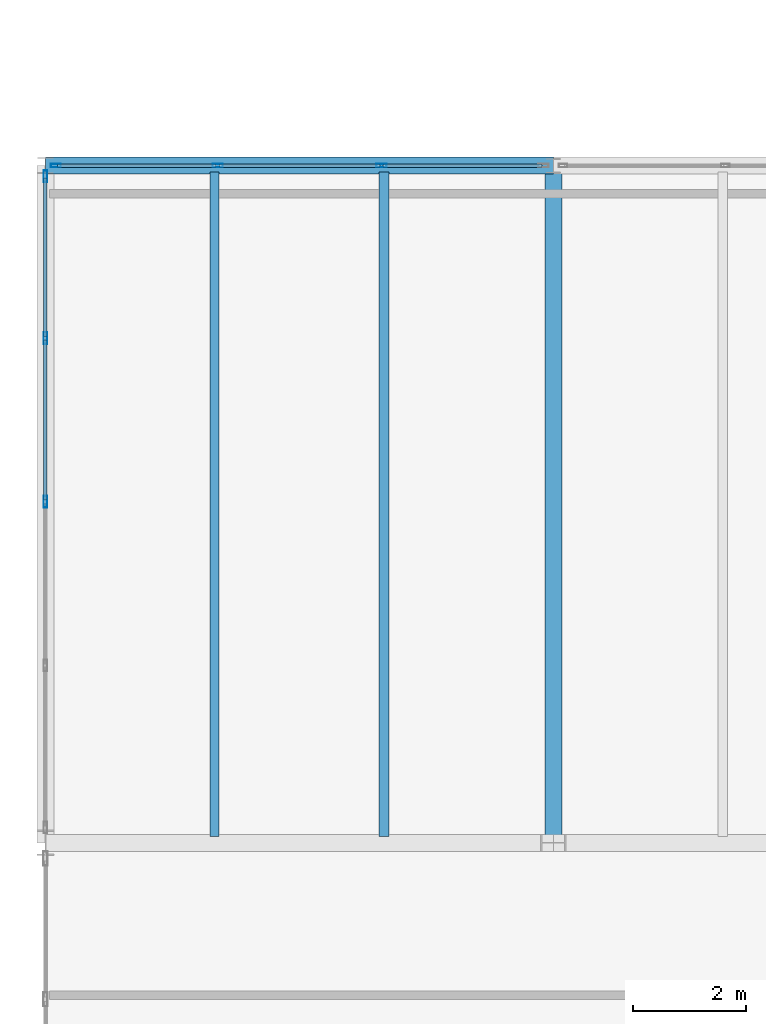
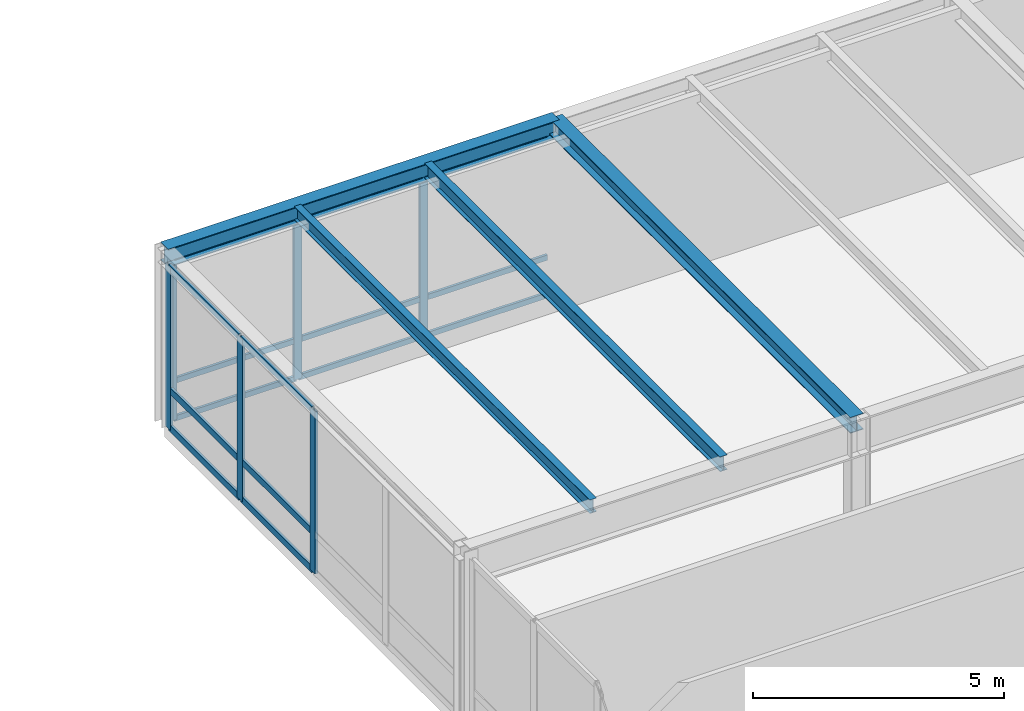
# One storey, part 18 of 142: 21 members, 4 beams, 2 elements without a shape of their own.
"""IFC4 building model written with IfcOpenShell, lengths in metres."""

from ifc_helpers import new_model, si_unit, direction, frame, origin, origin_2d, place, context, subcontext, project, spatial, hollow_rectangle, i_section, extrude, material, layer, layer_set, material_profile, profile_set, type_object, element, aggregate, save


model = new_model("IFC4")

# Units and contexts
model_context = context("Model", 3, precision=1e-05, world=origin(), true_north=direction((0.0, 1.0)))
body_context = subcontext(model_context, "Body", "Model", "MODEL_VIEW")
ifc_project = project(units=[si_unit("LENGTHUNIT", "METRE"), si_unit("AREAUNIT", "SQUARE_METRE"), si_unit("VOLUMEUNIT", "CUBIC_METRE"), si_unit("PLANEANGLEUNIT", "RADIAN"), si_unit("MASSUNIT", "GRAM", prefix="KILO")], contexts=[model_context])

# Site, building, storey
site_placement = place(None, origin())
site = spatial("IfcSite", under=ifc_project, at=site_placement, CompositionType="ELEMENT")
building_placement = place(site_placement, origin())
building = spatial("IfcBuilding", under=site, at=building_placement, Name="Montelvaro Courts of Justice", CompositionType="ELEMENT")
storey_placement = place(building_placement, frame((0.0, 0.0, 14.39990234375)))
storey = spatial("IfcBuildingStorey", under=building, at=storey_placement, Name="L03", CompositionType="ELEMENT", Elevation=14.39990234375)

# Beams
ifc_material_1 = material(Name="Steel S355", Category="steel")
ifc_material_profile_1 = material_profile(ifc_material_1, i_section(OverallWidth=0.300048828125, OverallDepth=0.389892578125, WebThickness=0.010986328125, FlangeThickness=0.01904296875, at=origin_2d()), Name="HEA 400")
ifc_profile_set_1 = profile_set([ifc_material_profile_1], Name="Steel S355")
beam_type_1 = type_object("IfcBeamType", Name="Beam_HEA400", PredefinedType="USERDEFINED", material=ifc_profile_set_1)
beam_1_placement = place(storey_placement, frame((27.0, 42.0, 4.10498046875), z_axis=(0.0, 1.0, 0.0), x_axis=(-1.0, 0.0, 0.0)))
element("IfcBeam", 1, at=beam_1_placement, inside=storey, type_object=beam_type_1, Name="Beam B-17 L03", ObjectType="GIRDER", PredefinedType="USERDEFINED", context=body_context, shape_type="SweptSolid", body=[
    extrude(i_section(OverallWidth=0.300048828125, OverallDepth=0.389892578125, WebThickness=0.010986328125, FlangeThickness=0.01904296875, at=origin_2d()), origin(), (0.0, 0.0, 1.0), 12.0),
])
ifc_material_profile_2 = material_profile(ifc_material_1, i_section(OverallWidth=0.300048828125, OverallDepth=0.43994140625, WebThickness=0.011474609375, FlangeThickness=0.02099609375, at=origin_2d()), Name="HEA 450")
ifc_profile_set_2 = profile_set([ifc_material_profile_2], Name="Steel S355")
beam_type_2 = type_object("IfcBeamType", Name="Beam_HEA450", PredefinedType="USERDEFINED", material=ifc_profile_set_2)
beam_2_placement = place(storey_placement, frame((18.0, 54.0, 4.080078125), z_axis=(1.0, 0.0, 0.0), x_axis=(0.0, 1.0, 0.0)))
element("IfcBeam", 2, at=beam_2_placement, inside=storey, type_object=beam_type_2, Name="Beam B-18 L03", ObjectType="GIRDER", PredefinedType="USERDEFINED", context=body_context, shape_type="SweptSolid", body=[
    extrude(i_section(OverallWidth=0.300048828125, OverallDepth=0.43994140625, WebThickness=0.011474609375, FlangeThickness=0.02099609375, at=origin_2d()), origin(), (0.0, 0.0, 1.0), 9.0),
])
ifc_material_profile_3 = material_profile(ifc_material_1, i_section(OverallWidth=0.159912109375, OverallDepth=0.330078125, WebThickness=0.007568359375, FlangeThickness=0.011474609375, at=origin_2d()), Name="IPE 330")
ifc_profile_set_3 = profile_set([ifc_material_profile_3], Name="Steel S355")
beam_type_3 = type_object("IfcBeamType", Name="Beam_IPE330", PredefinedType="BEAM", material=ifc_profile_set_3)
beam_3_placement = place(storey_placement, frame((21.0, 42.110107421875, 4.135009765625), z_axis=(0.0, 1.0, 0.0), x_axis=(-1.0, 0.0, 0.0)))
element("IfcBeam", 3, at=beam_3_placement, inside=storey, type_object=beam_type_3, Name="Beam B-06 L03", PredefinedType="BEAM", context=body_context, shape_type="SweptSolid", body=[
    extrude(i_section(OverallWidth=0.159912109375, OverallDepth=0.330078125, WebThickness=0.007568359375, FlangeThickness=0.011474609375, at=origin_2d()), origin(), (0.0, 0.0, 1.0), 11.77978515625),
])
ifc_material_profile_4 = material_profile(ifc_material_1, i_section(OverallWidth=0.169921875, OverallDepth=0.360107421875, WebThickness=0.008056640625, FlangeThickness=0.0126953125, at=origin_2d()), Name="IPE 360")
ifc_profile_set_4 = profile_set([ifc_material_profile_4], Name="Steel S355")
beam_type_4 = type_object("IfcBeamType", Name="Beam_IPE360", PredefinedType="BEAM", material=ifc_profile_set_4)
beam_4_placement = place(storey_placement, frame((24.0, 42.110107421875, 4.1201171875), z_axis=(0.0, 1.0, 0.0), x_axis=(-1.0, 0.0, 0.0)))
element("IfcBeam", 4, at=beam_4_placement, inside=storey, type_object=beam_type_4, Name="Beam B-07 L03", PredefinedType="BEAM", context=body_context, shape_type="SweptSolid", body=[
    extrude(i_section(OverallWidth=0.169921875, OverallDepth=0.360107421875, WebThickness=0.008056640625, FlangeThickness=0.0126953125, at=origin_2d()), origin(), (0.0, 0.0, 1.0), 11.77978515625),
])

# Curtain wall, members
ifc_material_2 = material(Name="Anodised aluminium EN AW-6063", Category="aluminium")
ifc_layer_1 = layer(ifc_material_2, 0.159912109375)
ifc_layer_set_1 = layer_set([ifc_layer_1], Name="Anodised aluminium EN AW-6063")
curtain_wall_type_1 = type_object("IfcCurtainWallType", Name="CurtainWall_18_868x418", PredefinedType="USERDEFINED", material=ifc_layer_set_1)
curtain_wall_1_placement = place(storey_placement, origin())
curtain_wall_1 = element("IfcCurtainWall", 5, at=curtain_wall_1_placement, inside=storey, type_object=curtain_wall_type_1, Name="Curtain Wall CW-18 (L03)", ObjectType="CURTAIN WALL", PredefinedType="USERDEFINED")
ifc_material_profile_5 = material_profile(ifc_material_2, hollow_rectangle(XDim=0.06005859375, YDim=0.179931640625, WallThickness=0.00439453125, at=origin_2d()), Name="ALU-M 60x180")
ifc_profile_set_5 = profile_set([ifc_material_profile_5], Name="Anodised aluminium EN AW-6063")
member_type_1 = type_object("IfcMemberType", Name="CurtainWall_Mullion_60x180", PredefinedType="MULLION", material=ifc_profile_set_5)
member_1_placement = place(storey_placement, frame((23.955078125, 54.0, 0.0), z_axis=(0.0, 0.0, 1.0), x_axis=(0.0, -1.0, 0.0)))
member_1 = element("IfcMember", 6, at=member_1_placement, type_object=member_type_1, Name="CW-18 mullion 2", PredefinedType="MULLION", context=body_context, shape_type="SweptSolid", body=[
    extrude(hollow_rectangle(XDim=0.06005859375, YDim=0.179931640625, WallThickness=0.00439453125, at=origin_2d()), origin(), (0.0, 0.0, 1.0), 3.85498046875),
])
member_2_placement = place(storey_placement, frame((21.054931640625, 54.0, 0.0), z_axis=(0.0, 0.0, 1.0), x_axis=(0.0, -1.0, 0.0)))
member_2 = element("IfcMember", 7, at=member_2_placement, type_object=member_type_1, Name="CW-18 mullion 3", PredefinedType="MULLION", context=body_context, shape_type="SweptSolid", body=[
    extrude(hollow_rectangle(XDim=0.06005859375, YDim=0.179931640625, WallThickness=0.00439453125, at=origin_2d()), origin(), (0.0, 0.0, 1.0), 3.85498046875),
])
member_3_placement = place(storey_placement, frame((18.18505859375, 54.0, 0.0), z_axis=(0.0, 0.0, 1.0), x_axis=(0.0, -1.0, 0.0)))
member_3 = element("IfcMember", 8, at=member_3_placement, type_object=member_type_1, Name="CW-18 mullion 4", PredefinedType="MULLION", context=body_context, shape_type="SweptSolid", body=[
    extrude(hollow_rectangle(XDim=0.06005859375, YDim=0.179931640625, WallThickness=0.00439453125, at=origin_2d()), origin(), (0.0, 0.0, 1.0), 3.85498046875),
])

ifc_layer_2 = layer(ifc_material_2, 0.159912109375)
ifc_layer_set_2 = layer_set([ifc_layer_2], Name="Anodised aluminium EN AW-6063")
curtain_wall_type_2 = type_object("IfcCurtainWallType", Name="CurtainWall_19_1159x418", PredefinedType="USERDEFINED", material=ifc_layer_set_2)
curtain_wall_2_placement = place(storey_placement, origin())
curtain_wall_2 = element("IfcCurtainWall", 9, at=curtain_wall_2_placement, inside=storey, type_object=curtain_wall_type_2, Name="Curtain Wall CW-19 (L03)", ObjectType="CURTAIN WALL", PredefinedType="USERDEFINED")
ifc_material_profile_6 = material_profile(ifc_material_2, hollow_rectangle(XDim=0.06494140625, YDim=0.2099609375, WallThickness=0.0048828125, at=origin_2d()), Name="ALU-M 65x210")
ifc_profile_set_6 = profile_set([ifc_material_profile_6], Name="Anodised aluminium EN AW-6063")
member_type_2 = type_object("IfcMemberType", Name="CurtainWall_Mullion_65x210", PredefinedType="MULLION", material=ifc_profile_set_6)
member_4_placement = place(storey_placement, frame((18.0, 53.8125, 0.0), z_axis=(0.0, 0.0, 1.0), x_axis=(1.0, 0.0, 0.0)))
member_4 = element("IfcMember", 10, at=member_4_placement, type_object=member_type_2, Name="CW-19 mullion 1", PredefinedType="MULLION", context=body_context, shape_type="SweptSolid", body=[
    extrude(hollow_rectangle(XDim=0.06494140625, YDim=0.2099609375, WallThickness=0.0048828125, at=origin_2d()), origin(), (0.0, 0.0, 1.0), 3.945068359375),
])
member_5_placement = place(storey_placement, frame((18.0, 50.94384765625, 0.0), z_axis=(0.0, 0.0, 1.0), x_axis=(1.0, 0.0, 0.0)))
member_5 = element("IfcMember", 11, at=member_5_placement, type_object=member_type_2, Name="CW-19 mullion 2", PredefinedType="MULLION", context=body_context, shape_type="SweptSolid", body=[
    extrude(hollow_rectangle(XDim=0.06494140625, YDim=0.2099609375, WallThickness=0.0048828125, at=origin_2d()), origin(), (0.0, 0.0, 1.0), 3.945068359375),
])
member_6_placement = place(storey_placement, frame((18.0, 48.04248046875, 0.0), z_axis=(0.0, 0.0, 1.0), x_axis=(1.0, 0.0, 0.0)))
member_6 = element("IfcMember", 12, at=member_6_placement, type_object=member_type_2, Name="CW-19 mullion 3", PredefinedType="MULLION", context=body_context, shape_type="SweptSolid", body=[
    extrude(hollow_rectangle(XDim=0.06494140625, YDim=0.2099609375, WallThickness=0.0048828125, at=origin_2d()), origin(), (0.0, 0.0, 1.0), 3.945068359375),
])

# Member
ifc_material_profile_7 = material_profile(ifc_material_2, hollow_rectangle(XDim=0.06005859375, YDim=0.1298828125, WallThickness=0.00390625, at=origin_2d()), Name="ALU-T 60x130")
ifc_profile_set_7 = profile_set([ifc_material_profile_7], Name="Anodised aluminium EN AW-6063")
member_type_3 = type_object("IfcMemberType", Name="CurtainWall_Transom_60x130", PredefinedType="USERDEFINED", material=ifc_profile_set_7)
member_7_placement = place(storey_placement, frame((26.794921875, 54.0, 0.030029296875), z_axis=(-1.0, 0.0, 0.0), x_axis=(0.0, -1.0, 0.0)))
member_7 = element("IfcMember", 13, at=member_7_placement, type_object=member_type_3, Name="CW-18 transom 1.1", ObjectType="TRANSOM", PredefinedType="USERDEFINED", context=body_context, shape_type="SweptSolid", body=[
    extrude(hollow_rectangle(XDim=0.06005859375, YDim=0.1298828125, WallThickness=0.00390625, at=origin_2d()), origin(), (0.0, 0.0, 1.0), 2.809814453125),
])

member_8_placement = place(storey_placement, frame((26.794921875, 54.0, 0.9501953125), z_axis=(-1.0, 0.0, 0.0), x_axis=(0.0, -1.0, 0.0)))
member_8 = element("IfcMember", 14, at=member_8_placement, type_object=member_type_3, Name="CW-18 transom 1.2", ObjectType="TRANSOM", PredefinedType="USERDEFINED", context=body_context, shape_type="SweptSolid", body=[
    extrude(hollow_rectangle(XDim=0.06005859375, YDim=0.1298828125, WallThickness=0.00390625, at=origin_2d()), origin(), (0.0, 0.0, 1.0), 2.809814453125),
])

member_9_placement = place(storey_placement, frame((26.794921875, 54.0, 3.8251953125), z_axis=(-1.0, 0.0, 0.0), x_axis=(0.0, -1.0, 0.0)))
member_9 = element("IfcMember", 15, at=member_9_placement, type_object=member_type_3, Name="CW-18 transom 1.3", ObjectType="TRANSOM", PredefinedType="USERDEFINED", context=body_context, shape_type="SweptSolid", body=[
    extrude(hollow_rectangle(XDim=0.06005859375, YDim=0.1298828125, WallThickness=0.00390625, at=origin_2d()), origin(), (0.0, 0.0, 1.0), 2.809814453125),
])

member_10_placement = place(storey_placement, frame((23.925048828125, 54.0, 0.030029296875), z_axis=(-1.0, 0.0, 0.0), x_axis=(0.0, -1.0, 0.0)))
member_10 = element("IfcMember", 16, at=member_10_placement, type_object=member_type_3, Name="CW-18 transom 2.1", ObjectType="TRANSOM", PredefinedType="USERDEFINED", context=body_context, shape_type="SweptSolid", body=[
    extrude(hollow_rectangle(XDim=0.06005859375, YDim=0.1298828125, WallThickness=0.00390625, at=origin_2d()), origin(), (0.0, 0.0, 1.0), 2.840087890625),
])

member_11_placement = place(storey_placement, frame((23.925048828125, 54.0, 0.9501953125), z_axis=(-1.0, 0.0, 0.0), x_axis=(0.0, -1.0, 0.0)))
member_11 = element("IfcMember", 17, at=member_11_placement, type_object=member_type_3, Name="CW-18 transom 2.2", ObjectType="TRANSOM", PredefinedType="USERDEFINED", context=body_context, shape_type="SweptSolid", body=[
    extrude(hollow_rectangle(XDim=0.06005859375, YDim=0.1298828125, WallThickness=0.00390625, at=origin_2d()), origin(), (0.0, 0.0, 1.0), 2.840087890625),
])

member_12_placement = place(storey_placement, frame((23.925048828125, 54.0, 3.8251953125), z_axis=(-1.0, 0.0, 0.0), x_axis=(0.0, -1.0, 0.0)))
member_12 = element("IfcMember", 18, at=member_12_placement, type_object=member_type_3, Name="CW-18 transom 2.3", ObjectType="TRANSOM", PredefinedType="USERDEFINED", context=body_context, shape_type="SweptSolid", body=[
    extrude(hollow_rectangle(XDim=0.06005859375, YDim=0.1298828125, WallThickness=0.00390625, at=origin_2d()), origin(), (0.0, 0.0, 1.0), 2.840087890625),
])

member_13_placement = place(storey_placement, frame((21.02490234375, 54.0, 0.030029296875), z_axis=(-1.0, 0.0, 0.0), x_axis=(0.0, -1.0, 0.0)))
member_13 = element("IfcMember", 19, at=member_13_placement, type_object=member_type_3, Name="CW-18 transom 3.1", ObjectType="TRANSOM", PredefinedType="USERDEFINED", context=body_context, shape_type="SweptSolid", body=[
    extrude(hollow_rectangle(XDim=0.06005859375, YDim=0.1298828125, WallThickness=0.00390625, at=origin_2d()), origin(), (0.0, 0.0, 1.0), 2.809814453125),
])

member_14_placement = place(storey_placement, frame((21.02490234375, 54.0, 0.9501953125), z_axis=(-1.0, 0.0, 0.0), x_axis=(0.0, -1.0, 0.0)))
member_14 = element("IfcMember", 20, at=member_14_placement, type_object=member_type_3, Name="CW-18 transom 3.2", ObjectType="TRANSOM", PredefinedType="USERDEFINED", context=body_context, shape_type="SweptSolid", body=[
    extrude(hollow_rectangle(XDim=0.06005859375, YDim=0.1298828125, WallThickness=0.00390625, at=origin_2d()), origin(), (0.0, 0.0, 1.0), 2.809814453125),
])

member_15_placement = place(storey_placement, frame((21.02490234375, 54.0, 3.8251953125), z_axis=(-1.0, 0.0, 0.0), x_axis=(0.0, -1.0, 0.0)))
member_15 = element("IfcMember", 21, at=member_15_placement, type_object=member_type_3, Name="CW-18 transom 3.3", ObjectType="TRANSOM", PredefinedType="USERDEFINED", context=body_context, shape_type="SweptSolid", body=[
    extrude(hollow_rectangle(XDim=0.06005859375, YDim=0.1298828125, WallThickness=0.00390625, at=origin_2d()), origin(), (0.0, 0.0, 1.0), 2.809814453125),
])

aggregate(curtain_wall_1, [member_1, member_2, member_3, member_7, member_8, member_9, member_10, member_11, member_12, member_13, member_14, member_15])

ifc_material_profile_8 = material_profile(ifc_material_2, hollow_rectangle(XDim=0.06005859375, YDim=0.159912109375, WallThickness=0.00439453125, at=origin_2d()), Name="ALU-T 60x160")
ifc_profile_set_8 = profile_set([ifc_material_profile_8], Name="Anodised aluminium EN AW-6063")
member_type_4 = type_object("IfcMemberType", Name="CurtainWall_Transom_60x160", PredefinedType="USERDEFINED", material=ifc_profile_set_8)
member_16_placement = place(storey_placement, frame((18.0, 53.780029296875, 0.030029296875), z_axis=(0.0, -1.0, 0.0), x_axis=(1.0, 0.0, 0.0)))
member_16 = element("IfcMember", 22, at=member_16_placement, type_object=member_type_4, Name="CW-19 transom 1.1", ObjectType="TRANSOM", PredefinedType="USERDEFINED", context=body_context, shape_type="SweptSolid", body=[
    extrude(hollow_rectangle(XDim=0.06005859375, YDim=0.159912109375, WallThickness=0.00439453125, at=origin_2d()), origin(), (0.0, 0.0, 1.0), 2.8037109375),
])

member_17_placement = place(storey_placement, frame((18.0, 53.780029296875, 0.9501953125), z_axis=(0.0, -1.0, 0.0), x_axis=(1.0, 0.0, 0.0)))
member_17 = element("IfcMember", 23, at=member_17_placement, type_object=member_type_4, Name="CW-19 transom 1.2", ObjectType="TRANSOM", PredefinedType="USERDEFINED", context=body_context, shape_type="SweptSolid", body=[
    extrude(hollow_rectangle(XDim=0.06005859375, YDim=0.159912109375, WallThickness=0.00439453125, at=origin_2d()), origin(), (0.0, 0.0, 1.0), 2.8037109375),
])

member_18_placement = place(storey_placement, frame((18.0, 53.780029296875, 3.9150390625), z_axis=(0.0, -1.0, 0.0), x_axis=(1.0, 0.0, 0.0)))
member_18 = element("IfcMember", 24, at=member_18_placement, type_object=member_type_4, Name="CW-19 transom 1.3", ObjectType="TRANSOM", PredefinedType="USERDEFINED", context=body_context, shape_type="SweptSolid", body=[
    extrude(hollow_rectangle(XDim=0.06005859375, YDim=0.159912109375, WallThickness=0.00439453125, at=origin_2d()), origin(), (0.0, 0.0, 1.0), 2.8037109375),
])

member_19_placement = place(storey_placement, frame((18.0, 50.9111328125, 0.030029296875), z_axis=(0.0, -1.0, 0.0), x_axis=(1.0, 0.0, 0.0)))
member_19 = element("IfcMember", 25, at=member_19_placement, type_object=member_type_4, Name="CW-19 transom 2.1", ObjectType="TRANSOM", PredefinedType="USERDEFINED", context=body_context, shape_type="SweptSolid", body=[
    extrude(hollow_rectangle(XDim=0.06005859375, YDim=0.159912109375, WallThickness=0.00439453125, at=origin_2d()), origin(), (0.0, 0.0, 1.0), 2.836181640625),
])

member_20_placement = place(storey_placement, frame((18.0, 50.9111328125, 0.9501953125), z_axis=(0.0, -1.0, 0.0), x_axis=(1.0, 0.0, 0.0)))
member_20 = element("IfcMember", 26, at=member_20_placement, type_object=member_type_4, Name="CW-19 transom 2.2", ObjectType="TRANSOM", PredefinedType="USERDEFINED", context=body_context, shape_type="SweptSolid", body=[
    extrude(hollow_rectangle(XDim=0.06005859375, YDim=0.159912109375, WallThickness=0.00439453125, at=origin_2d()), origin(), (0.0, 0.0, 1.0), 2.836181640625),
])

member_21_placement = place(storey_placement, frame((18.0, 50.9111328125, 3.9150390625), z_axis=(0.0, -1.0, 0.0), x_axis=(1.0, 0.0, 0.0)))
member_21 = element("IfcMember", 27, at=member_21_placement, type_object=member_type_4, Name="CW-19 transom 2.3", ObjectType="TRANSOM", PredefinedType="USERDEFINED", context=body_context, shape_type="SweptSolid", body=[
    extrude(hollow_rectangle(XDim=0.06005859375, YDim=0.159912109375, WallThickness=0.00439453125, at=origin_2d()), origin(), (0.0, 0.0, 1.0), 2.836181640625),
])

aggregate(curtain_wall_2, [member_4, member_5, member_6, member_16, member_17, member_18, member_19, member_20, member_21])

save(model, "model.ifc")
